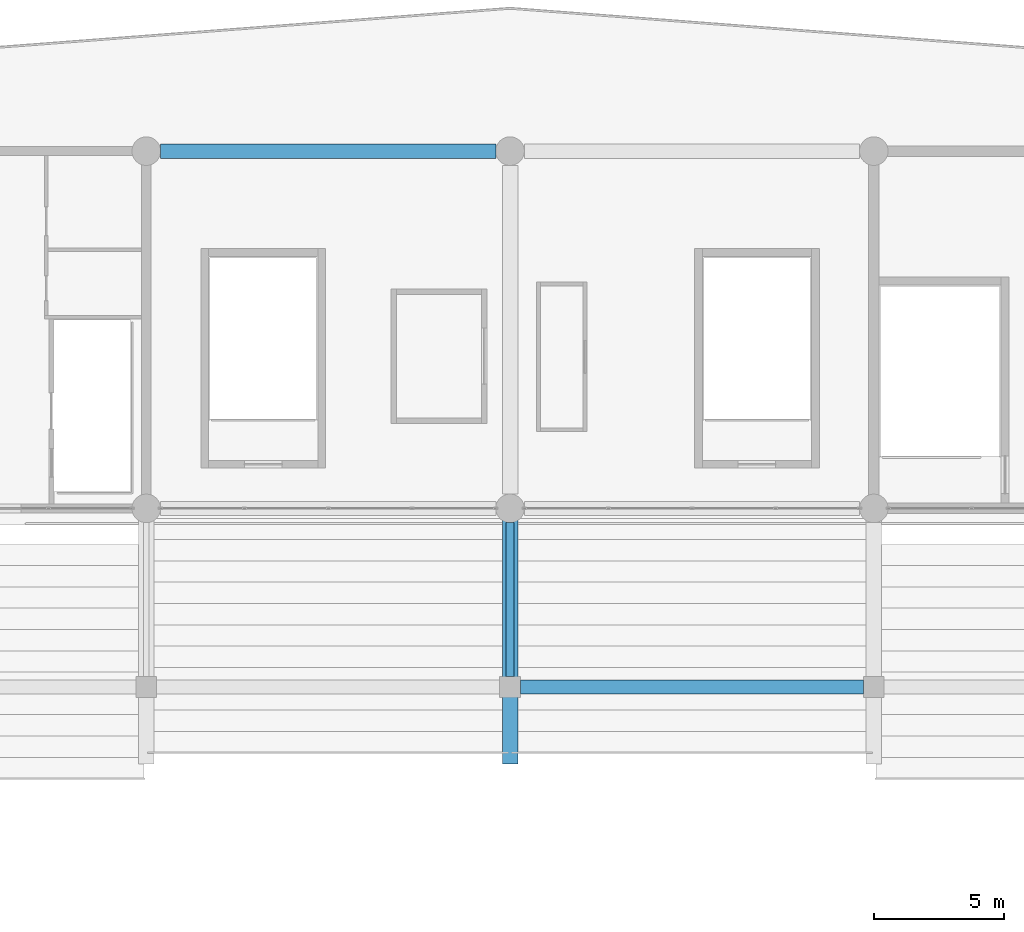
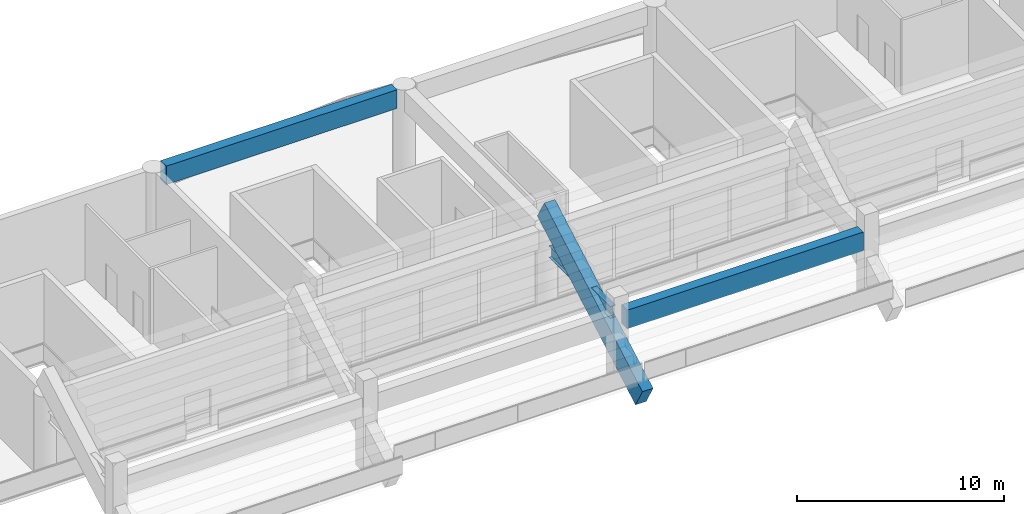
# One storey, part 50 of 90: 4 beams.
"""IFC4 building model written with IfcOpenShell, lengths in metres."""

from ifc_helpers import new_model, si_unit, direction, frame, origin, origin_2d, place, context, subcontext, project, spatial, rectangle, i_section, extrude, material, material_profile, profile_set, type_object, element, save


model = new_model("IFC4")

# Units and contexts
model_context = context("Model", 3, precision=1e-05, world=origin(), true_north=direction((0.0, 1.0)))
body_context = subcontext(model_context, "Body", "Model", "MODEL_VIEW")
ifc_project = project(units=[si_unit("LENGTHUNIT", "METRE"), si_unit("AREAUNIT", "SQUARE_METRE"), si_unit("VOLUMEUNIT", "CUBIC_METRE"), si_unit("PLANEANGLEUNIT", "RADIAN"), si_unit("MASSUNIT", "GRAM", prefix="KILO")], contexts=[model_context])

# Site, building, storey
site_placement = place(None, origin())
site = spatial("IfcSite", under=ifc_project, at=site_placement, CompositionType="ELEMENT")
building_placement = place(site_placement, origin())
building = spatial("IfcBuilding", under=site, at=building_placement, Name="Linyun Crest Stadium", CompositionType="ELEMENT")
storey_placement = place(building_placement, frame((0.0, 0.0, 21.0)))
storey = spatial("IfcBuildingStorey", under=building, at=storey_placement, Name="L05", CompositionType="ELEMENT", Elevation=21.0)

# Beams
ifc_material_1 = material(Name="Steel Q355C", Category="steel")
ifc_material_profile_1 = material_profile(ifc_material_1, i_section(OverallWidth=0.300048828125, OverallDepth=0.699951171875, WebThickness=0.012939453125, FlangeThickness=0.02392578125, at=origin_2d()), Name="HN 700x300")
ifc_profile_set_1 = profile_set([ifc_material_profile_1], Name="Steel Q355C")
beam_type_1 = type_object("IfcBeamType", Name="B12", PredefinedType="BEAM", material=ifc_profile_set_1)
beam_1_placement = place(storey_placement, frame((0.0, 85.02490234375, 3.985107421875), z_axis=(0.0, 1.0, 0.0), x_axis=(-1.0, 0.0, 0.0)))
element("IfcBeam", 1, at=beam_1_placement, inside=storey, type_object=beam_type_1, Name="Frame beam B12 L05 830", PredefinedType="BEAM", context=body_context, shape_type="SweptSolid", body=[
    extrude(i_section(OverallWidth=0.300048828125, OverallDepth=0.699951171875, WebThickness=0.012939453125, FlangeThickness=0.02392578125, at=origin_2d()), origin(), (0.0, 0.0, 1.0), 5.925048828125),
])
ifc_material_2 = material(Name="Precast concrete C50", Category="concrete")
ifc_material_profile_2 = material_profile(ifc_material_2, rectangle(XDim=0.60009765625, YDim=1.35009765625, at=origin_2d()), Name="PCR 1350x600")
ifc_profile_set_2 = profile_set([ifc_material_profile_2], Name="Precast concrete C50")
beam_type_2 = type_object("IfcBeamType", Name="RB03", PredefinedType="USERDEFINED", material=ifc_profile_set_2)
beam_2_placement = place(storey_placement, frame((0.0, 82.0, 0.800048828125), z_axis=(0.0, 0.869371049884, 0.494159870511), x_axis=(-1.0, 0.0, 0.0)))
element("IfcBeam", 2, at=beam_2_placement, inside=storey, type_object=beam_type_2, Name="Precast raker beam RB03 V3 80", ObjectType="RAKER", PredefinedType="USERDEFINED", context=body_context, shape_type="SweptSolid", body=[
    extrude(rectangle(XDim=0.60009765625, YDim=1.35009765625, at=origin_2d()), origin(), (0.0, 0.0, 1.0), 10.927490234375),
])
ifc_material_3 = material(Name="Concrete C50", Category="concrete")
ifc_material_profile_3 = material_profile(ifc_material_3, rectangle(XDim=0.550048828125, YDim=1.10009765625, at=origin_2d()), Name="RCB 1100x550")
ifc_profile_set_3 = profile_set([ifc_material_profile_3], Name="Concrete C50")
beam_type_3 = type_object("IfcBeamType", Name="TB01", PredefinedType="USERDEFINED", material=ifc_profile_set_3)
beam_3_placement = place(storey_placement, frame((0.39990234375, 84.625, 3.784912109375), z_axis=(1.0, 0.0, 0.0), x_axis=(0.0, 1.0, 0.0)))
element("IfcBeam", 3, at=beam_3_placement, inside=storey, type_object=beam_type_3, Name="Frame beam TB01 L05 822", ObjectType="GIRDER", PredefinedType="USERDEFINED", context=body_context, shape_type="SweptSolid", body=[
    extrude(rectangle(XDim=0.550048828125, YDim=1.10009765625, at=origin_2d()), origin(), (0.0, 0.0, 1.0), 13.2001953125),
])
beam_4_placement = place(storey_placement, frame((-13.449951171875, 105.25, 4.635009765625), z_axis=(1.0, 0.0, 0.0), x_axis=(0.0, 1.0, 0.0)))
element("IfcBeam", 4, at=beam_4_placement, inside=storey, type_object=beam_type_3, Name="Frame beam TB01 L05 826", ObjectType="GIRDER", PredefinedType="USERDEFINED", context=body_context, shape_type="SweptSolid", body=[
    extrude(rectangle(XDim=0.550048828125, YDim=1.10009765625, at=origin_2d()), origin(), (0.0, 0.0, 1.0), 12.89990234375),
])

save(model, "model.ifc")
